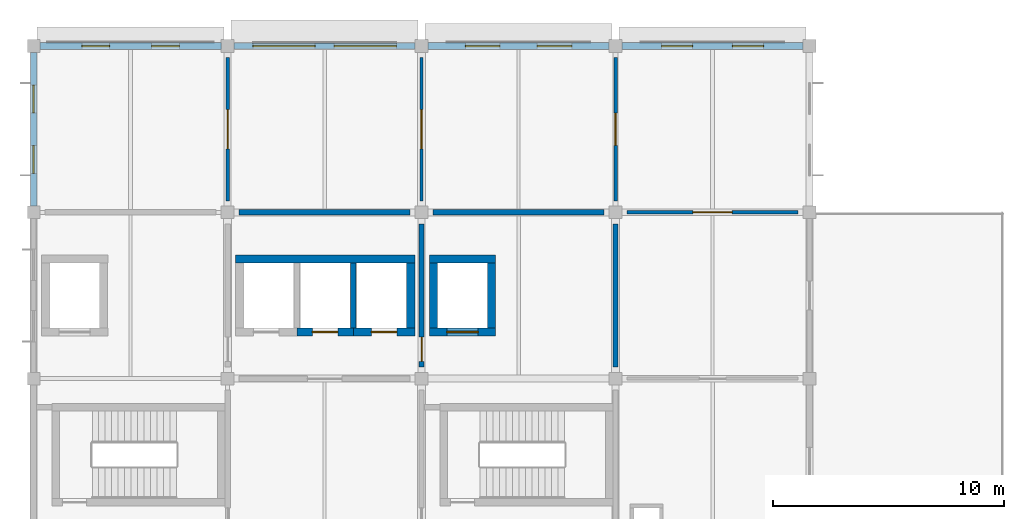
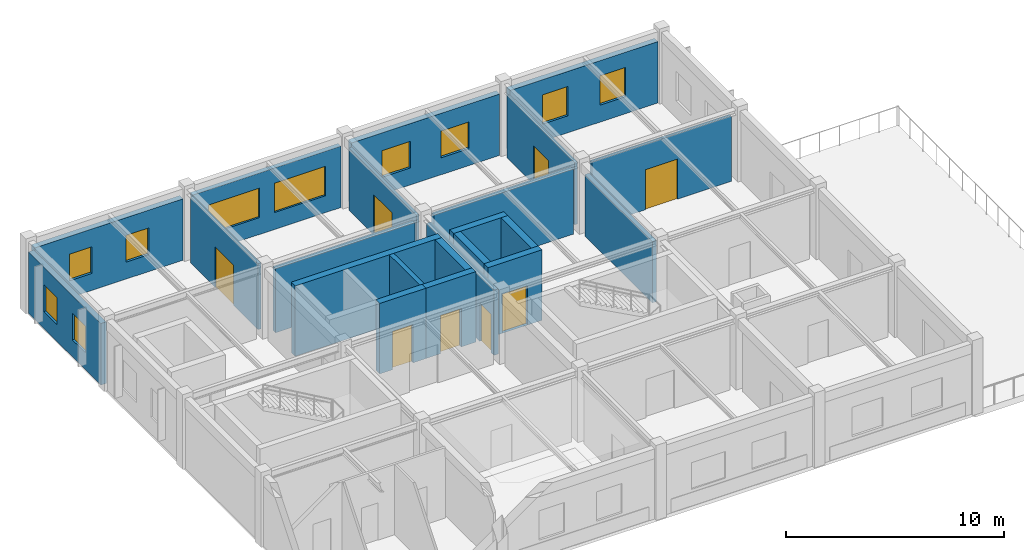
# One storey, part 4 of 6: 22 walls, 10 windows, 8 doors, 18 openings.
"""IFC4 building model written with IfcOpenShell, lengths in metres."""

from ifc_helpers import new_model, si_unit, derived_unit, direction, frame, frame_2d, origin, place, context, subcontext, project, spatial, rectangle, extrude, material, layer, layer_set, type_object, element, fill, save


model = new_model("IFC4")

# Units and contexts
model_context = context("Model", 3, precision=1e-05, world=origin(), true_north=direction((0.0, 1.0)))
body_context = subcontext(model_context, "Body", "Model", "MODEL_VIEW")
ifc_project = project(units=[si_unit("LENGTHUNIT", "METRE"), si_unit("AREAUNIT", "SQUARE_METRE"), si_unit("VOLUMEUNIT", "CUBIC_METRE"), si_unit("PLANEANGLEUNIT", "RADIAN"), si_unit("MASSUNIT", "GRAM", prefix="KILO"), derived_unit("THERMALTRANSMITTANCEUNIT", [(si_unit("MASSUNIT", "GRAM", prefix="KILO"), 1), (si_unit("TIMEUNIT", "SECOND"), -3), (si_unit("THERMODYNAMICTEMPERATUREUNIT", "KELVIN"), -1)])], contexts=[model_context])

# Site, building, storey
site_placement = place(None, origin())
site = spatial("IfcSite", under=ifc_project, at=site_placement, CompositionType="ELEMENT")
building_placement = place(site_placement, origin())
building = spatial("IfcBuilding", under=site, at=building_placement, Name="Veldstrom Oceanarium and Marine Research Institute", CompositionType="ELEMENT")
storey_placement = place(building_placement, frame((0.0, 0.0, 60.60009765625)))
storey = spatial("IfcBuildingStorey", under=building, at=storey_placement, Name="L13", CompositionType="ELEMENT", Elevation=60.60009765625)

# Wall, openings, windows
ifc_material_1 = material(Name="Masonry Cavity Wall", Category="masonry")
ifc_layer_1 = layer(ifc_material_1, 0.31005859375)
ifc_layer_set_1 = layer_set([ifc_layer_1], Name="ARC-WAL-EW1")
wall_type_1 = type_object("IfcWallType", Name="ARC-WAL-EW1", PredefinedType="SOLIDWALL", material=ifc_layer_set_1)
wall_1_placement = place(storey_placement, frame((75.875, 72.0, 0.0), z_axis=(0.0, 0.0, 1.0), x_axis=(1.0, 0.0, 0.0)))
wall_1 = element("IfcWall", 1, at=wall_1_placement, inside=storey, type_object=wall_type_1, Name="Exterior Facade Wall EW1 L13-255", PredefinedType="SOLIDWALL", context=body_context, shape_type="SweptSolid", body=[
    extrude(rectangle(XDim=7.85009765625, YDim=0.31005859375, at=frame_2d((3.925048828125, 0.0))), origin(), (0.0, 0.0, 1.0), 3.44482421875),
])
opening_1_placement = place(wall_1_placement, frame((1.816650390625, 0.0, 0.949951171875)))
opening_1 = element("IfcOpeningElement", 2, at=opening_1_placement, cuts=wall_1, Name="Opening W16", PredefinedType="OPENING", context=body_context, shape_type="SweptSolid", body=[
    extrude(rectangle(XDim=1.199951171875, YDim=1.5, at=frame_2d((0.60009765625, 0.75))), frame((0.0, 0.1650390625, 0.0), z_axis=(0.0, -1.0, 0.0), x_axis=(1.0, 0.0, 0.0)), (0.0, 0.0, 1.0), 0.330078125),
])
opening_2_placement = place(wall_1_placement, frame((4.833251953125, 0.0, 0.949951171875)))
opening_2 = element("IfcOpeningElement", 3, at=opening_2_placement, cuts=wall_1, Name="Opening W16", PredefinedType="OPENING", context=body_context, shape_type="SweptSolid", body=[
    extrude(rectangle(XDim=1.199951171875, YDim=1.5, at=frame_2d((0.60009765625, 0.75))), frame((0.0, 0.1650390625, 0.0), z_axis=(0.0, -1.0, 0.0), x_axis=(1.0, 0.0, 0.0)), (0.0, 0.0, 1.0), 0.330078125),
])
ifc_material_2 = material(Name="Double Glazed Low-E IGU", Category="glass")
window_type_1 = type_object("IfcWindowType", Name="ARC-WIN-W16", PartitioningType="SINGLE_PANEL", PredefinedType="WINDOW", material=ifc_material_2)
window_1_placement = place(opening_1_placement, origin())
window_1 = element("IfcWindow", 4, at=window_1_placement, inside=storey, type_object=window_type_1, Name="Facade Window W16 L13-0241", OverallHeight=1.5, OverallWidth=1.199951171875, PartitioningType="SINGLE_PANEL", PredefinedType="WINDOW", context=body_context, shape_type="SweptSolid", body=[
    extrude(rectangle(XDim=1.199951171875, YDim=1.5, at=frame_2d((0.60009765625, 0.75))), frame((0.0, 0.030029296875, 0.0), z_axis=(0.0, -1.0, 0.0), x_axis=(1.0, 0.0, 0.0)), (0.0, 0.0, 1.0), 0.06005859375),
])
fill(opening_1, window_1)
window_2_placement = place(opening_2_placement, origin())
window_2 = element("IfcWindow", 5, at=window_2_placement, inside=storey, type_object=window_type_1, Name="Facade Window W16 L13-0242", OverallHeight=1.5, OverallWidth=1.199951171875, PartitioningType="SINGLE_PANEL", PredefinedType="WINDOW", context=body_context, shape_type="SweptSolid", body=[
    extrude(rectangle(XDim=1.199951171875, YDim=1.5, at=frame_2d((0.60009765625, 0.75))), frame((0.0, 0.030029296875, 0.0), z_axis=(0.0, -1.0, 0.0), x_axis=(1.0, 0.0, 0.0)), (0.0, 0.0, 1.0), 0.06005859375),
])
fill(opening_2, window_2)

wall_2_placement = place(storey_placement, frame((92.675048828125, 72.0, 0.0), z_axis=(0.0, 0.0, 1.0), x_axis=(1.0, 0.0, 0.0)))
wall_2 = element("IfcWall", 6, at=wall_2_placement, inside=storey, type_object=wall_type_1, Name="Exterior Facade Wall EW1 L13-260", PredefinedType="SOLIDWALL", context=body_context, shape_type="SweptSolid", body=[
    extrude(rectangle(XDim=7.849853515625, YDim=0.31005859375, at=frame_2d((3.9248046875, 0.0))), origin(), (0.0, 0.0, 1.0), 3.44482421875),
])
opening_3_placement = place(wall_2_placement, frame((1.61669921875, 0.0, 0.949951171875)))
opening_3 = element("IfcOpeningElement", 7, at=opening_3_placement, cuts=wall_2, Name="Opening W15", PredefinedType="OPENING", context=body_context, shape_type="SweptSolid", body=[
    extrude(rectangle(XDim=1.5, YDim=1.5, at=frame_2d((0.75, 0.75))), frame((0.0, 0.1650390625, 0.0), z_axis=(0.0, -1.0, 0.0), x_axis=(1.0, 0.0, 0.0)), (0.0, 0.0, 1.0), 0.330078125),
])
opening_4_placement = place(wall_2_placement, frame((4.7333984375, 0.0, 0.949951171875)))
opening_4 = element("IfcOpeningElement", 8, at=opening_4_placement, cuts=wall_2, Name="Opening W15", PredefinedType="OPENING", context=body_context, shape_type="SweptSolid", body=[
    extrude(rectangle(XDim=1.5, YDim=1.5, at=frame_2d((0.75, 0.75))), frame((0.0, 0.1650390625, 0.0), z_axis=(0.0, -1.0, 0.0), x_axis=(1.0, 0.0, 0.0)), (0.0, 0.0, 1.0), 0.330078125),
])
ifc_material_3 = material(Name="Double Glazed Low-E IGU", Category="glass")
window_type_2 = type_object("IfcWindowType", Name="ARC-WIN-W15", PartitioningType="SINGLE_PANEL", PredefinedType="WINDOW", material=ifc_material_3)
window_3_placement = place(opening_3_placement, origin())
window_3 = element("IfcWindow", 9, at=window_3_placement, inside=storey, type_object=window_type_2, Name="Facade Window W15 L13-0251", OverallHeight=1.5, OverallWidth=1.5, PartitioningType="SINGLE_PANEL", PredefinedType="WINDOW", context=body_context, shape_type="SweptSolid", body=[
    extrude(rectangle(XDim=1.5, YDim=1.5, at=frame_2d((0.75, 0.75))), frame((0.0, 0.030029296875, 0.0), z_axis=(0.0, -1.0, 0.0), x_axis=(1.0, 0.0, 0.0)), (0.0, 0.0, 1.0), 0.06005859375),
])
fill(opening_3, window_3)
window_4_placement = place(opening_4_placement, origin())
window_4 = element("IfcWindow", 10, at=window_4_placement, inside=storey, type_object=window_type_2, Name="Facade Window W15 L13-0252", OverallHeight=1.5, OverallWidth=1.5, PartitioningType="SINGLE_PANEL", PredefinedType="WINDOW", context=body_context, shape_type="SweptSolid", body=[
    extrude(rectangle(XDim=1.5, YDim=1.5, at=frame_2d((0.75, 0.75))), frame((0.0, 0.030029296875, 0.0), z_axis=(0.0, -1.0, 0.0), x_axis=(1.0, 0.0, 0.0)), (0.0, 0.0, 1.0), 0.06005859375),
])
fill(opening_4, window_4)

wall_3_placement = place(storey_placement, frame((101.074951171875, 72.0, 0.0), z_axis=(0.0, 0.0, 1.0), x_axis=(1.0, 0.0, 0.0)))
wall_3 = element("IfcWall", 11, at=wall_3_placement, inside=storey, type_object=wall_type_1, Name="Exterior Facade Wall EW1 L13-265", PredefinedType="SOLIDWALL", context=body_context, shape_type="SweptSolid", body=[
    extrude(rectangle(XDim=7.85009765625, YDim=0.31005859375, at=frame_2d((3.925048828125, 0.0))), origin(), (0.0, 0.0, 1.0), 3.44482421875),
])
opening_5_placement = place(wall_3_placement, frame((1.716796875, 0.0, 0.949951171875)))
opening_5 = element("IfcOpeningElement", 12, at=opening_5_placement, cuts=wall_3, Name="Opening W24", PredefinedType="OPENING", context=body_context, shape_type="SweptSolid", body=[
    extrude(rectangle(XDim=1.35009765625, YDim=1.64990234375, at=frame_2d((0.675048828125, 0.824951171875))), frame((0.0, 0.1650390625, 0.0), z_axis=(0.0, -1.0, 0.0), x_axis=(1.0, 0.0, 0.0)), (0.0, 0.0, 1.0), 0.330078125),
])
opening_6_placement = place(wall_3_placement, frame((4.783203125, 0.0, 0.949951171875)))
opening_6 = element("IfcOpeningElement", 13, at=opening_6_placement, cuts=wall_3, Name="Opening W24", PredefinedType="OPENING", context=body_context, shape_type="SweptSolid", body=[
    extrude(rectangle(XDim=1.35009765625, YDim=1.64990234375, at=frame_2d((0.675048828125, 0.824951171875))), frame((0.0, 0.1650390625, 0.0), z_axis=(0.0, -1.0, 0.0), x_axis=(1.0, 0.0, 0.0)), (0.0, 0.0, 1.0), 0.330078125),
])
ifc_material_4 = material(Name="Double Glazed Low-E IGU", Category="glass")
window_type_3 = type_object("IfcWindowType", Name="ARC-WIN-W24", PartitioningType="SINGLE_PANEL", PredefinedType="WINDOW", material=ifc_material_4)
window_5_placement = place(opening_5_placement, origin())
window_5 = element("IfcWindow", 14, at=window_5_placement, inside=storey, type_object=window_type_3, Name="Facade Window W24 L13-0255", OverallHeight=1.64990234375, OverallWidth=1.35009765625, PartitioningType="SINGLE_PANEL", PredefinedType="WINDOW", context=body_context, shape_type="SweptSolid", body=[
    extrude(rectangle(XDim=1.35009765625, YDim=1.64990234375, at=frame_2d((0.675048828125, 0.824951171875))), frame((0.0, 0.030029296875, 0.0), z_axis=(0.0, -1.0, 0.0), x_axis=(1.0, 0.0, 0.0)), (0.0, 0.0, 1.0), 0.06005859375),
])
fill(opening_5, window_5)
window_6_placement = place(opening_6_placement, origin())
window_6 = element("IfcWindow", 15, at=window_6_placement, inside=storey, type_object=window_type_3, Name="Facade Window W24 L13-0256", OverallHeight=1.64990234375, OverallWidth=1.35009765625, PartitioningType="SINGLE_PANEL", PredefinedType="WINDOW", context=body_context, shape_type="SweptSolid", body=[
    extrude(rectangle(XDim=1.35009765625, YDim=1.64990234375, at=frame_2d((0.675048828125, 0.824951171875))), frame((0.0, 0.030029296875, 0.0), z_axis=(0.0, -1.0, 0.0), x_axis=(1.0, 0.0, 0.0)), (0.0, 0.0, 1.0), 0.06005859375),
])
fill(opening_6, window_6)

ifc_material_5 = material(Name="Masonry Cavity Wall", Category="masonry")
ifc_layer_2 = layer(ifc_material_5, 0.2900390625)
ifc_layer_set_2 = layer_set([ifc_layer_2], Name="ARC-WAL-EW2")
wall_type_2 = type_object("IfcWallType", Name="ARC-WAL-EW2", PredefinedType="SOLIDWALL", material=ifc_layer_set_2)
wall_4_placement = place(storey_placement, frame((75.60009765625, 65.074951171875, 0.0), z_axis=(0.0, 0.0, 1.0), x_axis=(0.0, 1.0, 0.0)))
wall_4 = element("IfcWall", 16, at=wall_4_placement, inside=storey, type_object=wall_type_2, Name="Exterior Facade Wall EW2 L13-256", PredefinedType="SOLIDWALL", context=body_context, shape_type="SweptSolid", body=[
    extrude(rectangle(XDim=6.650146484375, YDim=0.2900390625, at=frame_2d((3.3251953125, 0.0))), origin(), (0.0, 0.0, 1.0), 3.44482421875),
])
opening_7_placement = place(wall_4_placement, frame((1.416748046875, 0.0, 0.949951171875)))
opening_7 = element("IfcOpeningElement", 17, at=opening_7_placement, cuts=wall_4, Name="Opening W16", PredefinedType="OPENING", context=body_context, shape_type="SweptSolid", body=[
    extrude(rectangle(XDim=1.199951171875, YDim=1.5, at=frame_2d((0.60009765625, 0.75))), frame((0.0, 0.155029296875, 0.0), z_axis=(0.0, -1.0, 0.0), x_axis=(1.0, 0.0, 0.0)), (0.0, 0.0, 1.0), 0.31005859375),
])
opening_8_placement = place(wall_4_placement, frame((4.033203125, 0.0, 0.949951171875)))
opening_8 = element("IfcOpeningElement", 18, at=opening_8_placement, cuts=wall_4, Name="Opening W16", PredefinedType="OPENING", context=body_context, shape_type="SweptSolid", body=[
    extrude(rectangle(XDim=1.199951171875, YDim=1.5, at=frame_2d((0.60009765625, 0.75))), frame((0.0, 0.155029296875, 0.0), z_axis=(0.0, -1.0, 0.0), x_axis=(1.0, 0.0, 0.0)), (0.0, 0.0, 1.0), 0.31005859375),
])
window_7_placement = place(opening_7_placement, origin())
window_7 = element("IfcWindow", 19, at=window_7_placement, inside=storey, type_object=window_type_1, Name="Facade Window W16 L13-0243", OverallHeight=1.5, OverallWidth=1.199951171875, PartitioningType="SINGLE_PANEL", PredefinedType="WINDOW", context=body_context, shape_type="SweptSolid", body=[
    extrude(rectangle(XDim=1.199951171875, YDim=1.5, at=frame_2d((0.60009765625, 0.75))), frame((0.0, 0.030029296875, 0.0), z_axis=(0.0, -1.0, 0.0), x_axis=(1.0, 0.0, 0.0)), (0.0, 0.0, 1.0), 0.06005859375),
])
fill(opening_7, window_7)
window_8_placement = place(opening_8_placement, origin())
window_8 = element("IfcWindow", 20, at=window_8_placement, inside=storey, type_object=window_type_1, Name="Facade Window W16 L13-0244", OverallHeight=1.5, OverallWidth=1.199951171875, PartitioningType="SINGLE_PANEL", PredefinedType="WINDOW", context=body_context, shape_type="SweptSolid", body=[
    extrude(rectangle(XDim=1.199951171875, YDim=1.5, at=frame_2d((0.60009765625, 0.75))), frame((0.0, 0.030029296875, 0.0), z_axis=(0.0, -1.0, 0.0), x_axis=(1.0, 0.0, 0.0)), (0.0, 0.0, 1.0), 0.06005859375),
])
fill(opening_8, window_8)

ifc_material_6 = material(Name="Masonry Cavity Wall", Category="masonry")
ifc_layer_3 = layer(ifc_material_6, 0.25)
ifc_layer_set_3 = layer_set([ifc_layer_3], Name="ARC-WAL-EW5")
wall_type_3 = type_object("IfcWallType", Name="ARC-WAL-EW5", PredefinedType="SOLIDWALL", material=ifc_layer_set_3)
wall_5_placement = place(storey_placement, frame((84.27490234375, 72.0, 0.0), z_axis=(0.0, 0.0, 1.0), x_axis=(1.0, 0.0, 0.0)))
wall_5 = element("IfcWall", 21, at=wall_5_placement, inside=storey, type_object=wall_type_3, Name="Exterior Facade Wall EW5 L13-258", PredefinedType="SOLIDWALL", context=body_context, shape_type="SweptSolid", body=[
    extrude(rectangle(XDim=7.85009765625, YDim=0.25, at=frame_2d((3.925048828125, 0.0))), origin(), (0.0, 0.0, 1.0), 3.44482421875),
])
opening_9_placement = place(wall_5_placement, frame((0.816650390625, 0.0, 0.949951171875)))
opening_9 = element("IfcOpeningElement", 22, at=opening_9_placement, cuts=wall_5, Name="Opening W25", PredefinedType="OPENING", context=body_context, shape_type="SweptSolid", body=[
    extrude(rectangle(XDim=2.699951171875, YDim=1.64990234375, at=frame_2d((1.35009765625, 0.824951171875))), frame((0.0, 0.135009765625, 0.0), z_axis=(0.0, -1.0, 0.0), x_axis=(1.0, 0.0, 0.0)), (0.0, 0.0, 1.0), 0.27001953125),
])
opening_10_placement = place(wall_5_placement, frame((4.333251953125, 0.0, 0.949951171875)))
opening_10 = element("IfcOpeningElement", 23, at=opening_10_placement, cuts=wall_5, Name="Opening W25", PredefinedType="OPENING", context=body_context, shape_type="SweptSolid", body=[
    extrude(rectangle(XDim=2.699951171875, YDim=1.64990234375, at=frame_2d((1.35009765625, 0.824951171875))), frame((0.0, 0.135009765625, 0.0), z_axis=(0.0, -1.0, 0.0), x_axis=(1.0, 0.0, 0.0)), (0.0, 0.0, 1.0), 0.27001953125),
])
ifc_material_7 = material(Name="Double Glazed Low-E IGU", Category="glass")
window_type_4 = type_object("IfcWindowType", Name="ARC-WIN-W25", PartitioningType="SINGLE_PANEL", PredefinedType="WINDOW", material=ifc_material_7)
window_9_placement = place(opening_9_placement, origin())
window_9 = element("IfcWindow", 24, at=window_9_placement, inside=storey, type_object=window_type_4, Name="Facade Window W25 L13-0247", OverallHeight=1.64990234375, OverallWidth=2.699951171875, PartitioningType="SINGLE_PANEL", PredefinedType="WINDOW", context=body_context, shape_type="SweptSolid", body=[
    extrude(rectangle(XDim=2.699951171875, YDim=1.64990234375, at=frame_2d((1.35009765625, 0.824951171875))), frame((0.0, 0.030029296875, 0.0), z_axis=(0.0, -1.0, 0.0), x_axis=(1.0, 0.0, 0.0)), (0.0, 0.0, 1.0), 0.06005859375),
])
fill(opening_9, window_9)
window_10_placement = place(opening_10_placement, origin())
window_10 = element("IfcWindow", 25, at=window_10_placement, inside=storey, type_object=window_type_4, Name="Facade Window W25 L13-0248", OverallHeight=1.64990234375, OverallWidth=2.699951171875, PartitioningType="SINGLE_PANEL", PredefinedType="WINDOW", context=body_context, shape_type="SweptSolid", body=[
    extrude(rectangle(XDim=2.699951171875, YDim=1.64990234375, at=frame_2d((1.35009765625, 0.824951171875))), frame((0.0, 0.030029296875, 0.0), z_axis=(0.0, -1.0, 0.0), x_axis=(1.0, 0.0, 0.0)), (0.0, 0.0, 1.0), 0.06005859375),
])
fill(opening_10, window_10)

# Wall, opening, door
ifc_material_8 = material(Name="Masonry Fire Compartment Wall", Category="masonry")
ifc_layer_4 = layer(ifc_material_8, 0.22998046875)
ifc_layer_set_4 = layer_set([ifc_layer_4], Name="ARC-WAL-PT1")
wall_type_4 = type_object("IfcWallType", Name="ARC-WAL-PT1", PredefinedType="PARTITIONING", material=ifc_layer_set_4)
wall_6_placement = place(storey_placement, frame((92.39990234375, 58.10009765625, 0.0), z_axis=(0.0, 0.0, 1.0), x_axis=(0.0, 1.0, 0.0)))
wall_6 = element("IfcWall", 26, at=wall_6_placement, inside=storey, type_object=wall_type_4, Name="Interior Partition PT1 L13-1752", PredefinedType="PARTITIONING", context=body_context, shape_type="SweptSolid", body=[
    extrude(rectangle(XDim=6.199951171875, YDim=0.22998046875, at=frame_2d((3.10009765625, 0.0))), origin(), (0.0, 0.0, 1.0), 3.65478515625),
])
opening_11_placement = place(wall_6_placement, frame((0.25, 0.0, 0.0)))
opening_11 = element("IfcOpeningElement", 27, at=opening_11_placement, cuts=wall_6, Name="Opening D-L13-1083", PredefinedType="OPENING", context=body_context, shape_type="SweptSolid", body=[
    extrude(rectangle(XDim=1.050048828125, YDim=2.14990234375, at=frame_2d((0.52490234375, 1.074951171875))), frame((0.0, 0.125, 0.0), z_axis=(0.0, -1.0, 0.0), x_axis=(1.0, 0.0, 0.0)), (0.0, 0.0, 1.0), 0.25),
])
ifc_material_9 = material(Name="Painted Steel Fire Door", Category="steel")
door_type_1 = type_object("IfcDoorType", Name="ARC-DOR-SD1", OperationType="SINGLE_SWING_LEFT", PredefinedType="DOOR", material=ifc_material_9)
door_1_placement = place(opening_11_placement, origin())
door_1 = element("IfcDoor", 28, at=door_1_placement, inside=storey, type_object=door_type_1, Name="Interior Door D-L13-1083", OperationType="SINGLE_SWING_LEFT", OverallHeight=2.14990234375, OverallWidth=1.050048828125, PredefinedType="DOOR", context=body_context, shape_type="SweptSolid", body=[
    extrude(rectangle(XDim=1.050048828125, YDim=2.14990234375, at=frame_2d((0.52490234375, 1.074951171875))), frame((0.0, 0.02490234375, 0.0), z_axis=(0.0, -1.0, 0.0), x_axis=(1.0, 0.0, 0.0)), (0.0, 0.0, 1.0), 0.050048828125),
])
fill(opening_11, door_1)

# Walls
wall_7_placement = place(storey_placement, frame((84.5, 64.800048828125, 0.0), z_axis=(0.0, 0.0, 1.0), x_axis=(1.0, 0.0, 0.0)))
element("IfcWall", 29, at=wall_7_placement, inside=storey, type_object=wall_type_4, Name="Interior Partition PT1 L13-1753", PredefinedType="PARTITIONING", context=body_context, shape_type="SweptSolid", body=[
    extrude(rectangle(XDim=7.39990234375, YDim=0.22998046875, at=frame_2d((3.699951171875, 0.0))), origin(), (0.0, 0.0, 1.0), 3.594970703125),
])
wall_8_placement = place(storey_placement, frame((100.800048828125, 58.10009765625, 0.0), z_axis=(0.0, 0.0, 1.0), x_axis=(0.0, 1.0, 0.0)))
element("IfcWall", 30, at=wall_8_placement, inside=storey, type_object=wall_type_4, Name="Interior Partition PT1 L13-1759", PredefinedType="PARTITIONING", context=body_context, shape_type="SweptSolid", body=[
    extrude(rectangle(XDim=6.199951171875, YDim=0.22998046875, at=frame_2d((3.10009765625, 0.0))), origin(), (0.0, 0.0, 1.0), 3.44482421875),
])
wall_9_placement = place(storey_placement, frame((92.89990234375, 64.800048828125, 0.0), z_axis=(0.0, 0.0, 1.0), x_axis=(1.0, 0.0, 0.0)))
element("IfcWall", 31, at=wall_9_placement, inside=storey, type_object=wall_type_4, Name="Interior Partition PT1 L13-1760", PredefinedType="PARTITIONING", context=body_context, shape_type="SweptSolid", body=[
    extrude(rectangle(XDim=7.400146484375, YDim=0.22998046875, at=frame_2d((3.7001953125, 0.0))), origin(), (0.0, 0.0, 1.0), 3.65478515625),
])

# Wall, opening, door
ifc_material_10 = material(Name="Drywall Corridor Partition", Category="gypsum")
ifc_layer_5 = layer(ifc_material_10, 0.155029296875)
ifc_layer_set_5 = layer_set([ifc_layer_5], Name="ARC-WAL-PT4")
wall_type_5 = type_object("IfcWallType", Name="ARC-WAL-PT4", PredefinedType="PARTITIONING", material=ifc_layer_set_5)
wall_10_placement = place(storey_placement, frame((84.0, 65.300048828125, 0.0), z_axis=(0.0, 0.0, 1.0), x_axis=(0.0, 1.0, 0.0)))
wall_10 = element("IfcWall", 32, at=wall_10_placement, inside=storey, type_object=wall_type_5, Name="Interior Partition PT4 L13-1747", PredefinedType="PARTITIONING", context=body_context, shape_type="SweptSolid", body=[
    extrude(rectangle(XDim=6.199951171875, YDim=0.155029296875, at=frame_2d((3.10009765625, 0.0))), origin(), (0.0, 0.0, 1.0), 3.704833984375),
])
opening_12_placement = place(wall_10_placement, frame((2.25, 0.0, 0.0)))
opening_12 = element("IfcOpeningElement", 33, at=opening_12_placement, cuts=wall_10, Name="Opening D-L13-1078", PredefinedType="OPENING", context=body_context, shape_type="SweptSolid", body=[
    extrude(rectangle(XDim=1.699951171875, YDim=2.25, at=frame_2d((0.85009765625, 1.125))), frame((0.0, 0.08740234375, 0.0), z_axis=(0.0, -1.0, 0.0), x_axis=(1.0, 0.0, 0.0)), (0.0, 0.0, 1.0), 0.175048828125),
])
ifc_material_11 = material(Name="Symposium Auditorium Door", Category="timber")
door_type_2 = type_object("IfcDoorType", Name="ARC-DOR-ID13", OperationType="DOUBLE_DOOR_SINGLE_SWING", PredefinedType="DOOR", material=ifc_material_11)
door_2_placement = place(opening_12_placement, origin())
door_2 = element("IfcDoor", 34, at=door_2_placement, inside=storey, type_object=door_type_2, Name="Interior Door D-L13-1078", OperationType="DOUBLE_DOOR_SINGLE_SWING", OverallHeight=2.25, OverallWidth=1.699951171875, PredefinedType="DOOR", context=body_context, shape_type="SweptSolid", body=[
    extrude(rectangle(XDim=1.699951171875, YDim=2.25, at=frame_2d((0.85009765625, 1.125))), frame((0.0, 0.02490234375, 0.0), z_axis=(0.0, -1.0, 0.0), x_axis=(1.0, 0.0, 0.0)), (0.0, 0.0, 1.0), 0.050048828125),
])
fill(opening_12, door_2)

wall_11_placement = place(storey_placement, frame((100.800048828125, 65.300048828125, 0.0), z_axis=(0.0, 0.0, 1.0), x_axis=(0.0, 1.0, 0.0)))
wall_11 = element("IfcWall", 35, at=wall_11_placement, inside=storey, type_object=wall_type_5, Name="Interior Partition PT4 L13-1761", PredefinedType="PARTITIONING", context=body_context, shape_type="SweptSolid", body=[
    extrude(rectangle(XDim=6.199951171875, YDim=0.155029296875, at=frame_2d((3.10009765625, 0.0))), origin(), (0.0, 0.0, 1.0), 3.494873046875),
])
opening_13_placement = place(wall_11_placement, frame((2.39990234375, 0.0, 0.0)))
opening_13 = element("IfcOpeningElement", 36, at=opening_13_placement, cuts=wall_11, Name="Opening D-L13-1087", PredefinedType="OPENING", context=body_context, shape_type="SweptSolid", body=[
    extrude(rectangle(XDim=1.39990234375, YDim=2.14990234375, at=frame_2d((0.699951171875, 1.074951171875))), frame((0.0, 0.08740234375, 0.0), z_axis=(0.0, -1.0, 0.0), x_axis=(1.0, 0.0, 0.0)), (0.0, 0.0, 1.0), 0.175048828125),
])
ifc_material_12 = material(Name="Education Classroom Door", Category="timber")
door_type_3 = type_object("IfcDoorType", Name="ARC-DOR-ID04", OperationType="DOUBLE_DOOR_SINGLE_SWING", PredefinedType="DOOR", material=ifc_material_12)
door_3_placement = place(opening_13_placement, origin())
door_3 = element("IfcDoor", 37, at=door_3_placement, inside=storey, type_object=door_type_3, Name="Interior Door D-L13-1087", OperationType="DOUBLE_DOOR_SINGLE_SWING", OverallHeight=2.14990234375, OverallWidth=1.39990234375, PredefinedType="DOOR", context=body_context, shape_type="SweptSolid", body=[
    extrude(rectangle(XDim=1.39990234375, YDim=2.14990234375, at=frame_2d((0.699951171875, 1.074951171875))), frame((0.0, 0.02490234375, 0.0), z_axis=(0.0, -1.0, 0.0), x_axis=(1.0, 0.0, 0.0)), (0.0, 0.0, 1.0), 0.050048828125),
])
fill(opening_13, door_3)

wall_12_placement = place(storey_placement, frame((101.300048828125, 64.800048828125, 0.0), z_axis=(0.0, 0.0, 1.0), x_axis=(1.0, 0.0, 0.0)))
wall_12 = element("IfcWall", 38, at=wall_12_placement, inside=storey, type_object=wall_type_5, Name="Interior Partition PT4 L13-1764", PredefinedType="PARTITIONING", context=body_context, shape_type="SweptSolid", body=[
    extrude(rectangle(XDim=7.39990234375, YDim=0.155029296875, at=frame_2d((3.699951171875, 0.0))), origin(), (0.0, 0.0, 1.0), 3.6748046875),
])
opening_14_placement = place(wall_12_placement, frame((2.85009765625, 0.0, 0.0)))
opening_14 = element("IfcOpeningElement", 39, at=opening_14_placement, cuts=wall_12, Name="Opening D-L13-1090", PredefinedType="OPENING", context=body_context, shape_type="SweptSolid", body=[
    extrude(rectangle(XDim=1.699951171875, YDim=2.25, at=frame_2d((0.85009765625, 1.125))), frame((0.0, 0.08740234375, 0.0), z_axis=(0.0, -1.0, 0.0), x_axis=(1.0, 0.0, 0.0)), (0.0, 0.0, 1.0), 0.175048828125),
])
door_4_placement = place(opening_14_placement, frame((1.699951171875, 0.0, 0.0), z_axis=(0.0, 0.0, 1.0), x_axis=(-1.0, 0.0, 0.0)))
door_4 = element("IfcDoor", 40, at=door_4_placement, inside=storey, type_object=door_type_2, Name="Interior Door D-L13-1090", OperationType="DOUBLE_DOOR_SINGLE_SWING", OverallHeight=2.25, OverallWidth=1.699951171875, PredefinedType="DOOR", context=body_context, shape_type="SweptSolid", body=[
    extrude(rectangle(XDim=1.699951171875, YDim=2.25, at=frame_2d((0.85009765625, 1.125))), frame((0.0, 0.02490234375, 0.0), z_axis=(0.0, -1.0, 0.0), x_axis=(1.0, 0.0, 0.0)), (0.0, 0.0, 1.0), 0.050048828125),
])
fill(opening_14, door_4)

ifc_material_13 = material(Name="Moisture-Resistant Wet-Area Partition", Category="masonry")
ifc_layer_6 = layer(ifc_material_13, 0.139892578125)
ifc_layer_set_6 = layer_set([ifc_layer_6], Name="ARC-WAL-PT5")
wall_type_6 = type_object("IfcWallType", Name="ARC-WAL-PT5", PredefinedType="PARTITIONING", material=ifc_layer_set_6)
wall_13_placement = place(storey_placement, frame((92.39990234375, 65.300048828125, 0.0), z_axis=(0.0, 0.0, 1.0), x_axis=(0.0, 1.0, 0.0)))
wall_13 = element("IfcWall", 41, at=wall_13_placement, inside=storey, type_object=wall_type_6, Name="Interior Partition PT5 L13-1754", PredefinedType="PARTITIONING", context=body_context, shape_type="SweptSolid", body=[
    extrude(rectangle(XDim=6.199951171875, YDim=0.139892578125, at=frame_2d((3.10009765625, 0.0))), origin(), (0.0, 0.0, 1.0), 3.494873046875),
])
opening_15_placement = place(wall_13_placement, frame((2.25, 0.0, 0.0)))
opening_15 = element("IfcOpeningElement", 42, at=opening_15_placement, cuts=wall_13, Name="Opening D-L13-1084", PredefinedType="OPENING", context=body_context, shape_type="SweptSolid", body=[
    extrude(rectangle(XDim=1.699951171875, YDim=2.25, at=frame_2d((0.85009765625, 1.125))), frame((0.0, 0.079833984375, 0.0), z_axis=(0.0, -1.0, 0.0), x_axis=(1.0, 0.0, 0.0)), (0.0, 0.0, 1.0), 0.159912109375),
])
door_5_placement = place(opening_15_placement, frame((1.699951171875, 0.0, 0.0), z_axis=(0.0, 0.0, 1.0), x_axis=(-1.0, 0.0, 0.0)))
door_5 = element("IfcDoor", 43, at=door_5_placement, inside=storey, type_object=door_type_2, Name="Interior Door D-L13-1084", OperationType="DOUBLE_DOOR_SINGLE_SWING", OverallHeight=2.25, OverallWidth=1.699951171875, PredefinedType="DOOR", context=body_context, shape_type="SweptSolid", body=[
    extrude(rectangle(XDim=1.699951171875, YDim=2.25, at=frame_2d((0.85009765625, 1.125))), frame((0.0, 0.02490234375, 0.0), z_axis=(0.0, -1.0, 0.0), x_axis=(1.0, 0.0, 0.0)), (0.0, 0.0, 1.0), 0.050048828125),
])
fill(opening_15, door_5)

# Wall
ifc_material_14 = material(Name="Concrete C40/50", Category="concrete")
ifc_layer_7 = layer(ifc_material_14, 0.360107421875)
ifc_layer_set_7 = layer_set([ifc_layer_7], Name="STR-WAL-WC2")
wall_type_7 = type_object("IfcWallType", Name="STR-WAL-WC2", PredefinedType="SHEAR", material=ifc_layer_set_7)
wall_14_placement = place(storey_placement, frame((84.340087890625, 62.780029296875, 0.0), z_axis=(0.0, 0.0, 1.0), x_axis=(1.0, 0.0, 0.0)))
element("IfcWall", 44, at=wall_14_placement, inside=storey, type_object=wall_type_7, Name="Lift Shaft Shear Wall N L13 10/8", PredefinedType="SHEAR", context=body_context, shape_type="SweptSolid", body=[
    extrude(rectangle(XDim=7.77001953125, YDim=0.360107421875, at=frame_2d((3.885009765625, 0.0))), origin(), (0.0, 0.0, 1.0), 3.949951171875),
])

# Wall, opening, door
wall_15_placement = place(storey_placement, frame((87.0, 59.6201171875, 0.0), z_axis=(0.0, 0.0, 1.0), x_axis=(1.0, 0.0, 0.0)))
wall_15 = element("IfcWall", 45, at=wall_15_placement, inside=storey, type_object=wall_type_7, Name="Lift Shaft Front Shear Wall LP2 L13", PredefinedType="SHEAR", context=body_context, shape_type="SweptSolid", body=[
    extrude(rectangle(XDim=2.449951171875, YDim=0.360107421875, at=frame_2d((1.22509765625, 0.0))), origin(), (0.0, 0.0, 1.0), 3.949951171875),
])
opening_16_placement = place(wall_15_placement, frame((0.675048828125, 0.0, 0.0)))
opening_16 = element("IfcOpeningElement", 46, at=opening_16_placement, cuts=wall_15, Name="Opening LD-LP2-L13", PredefinedType="OPENING", context=body_context, shape_type="SweptSolid", body=[
    extrude(rectangle(XDim=1.10009765625, YDim=2.14990234375, at=frame_2d((0.550048828125, 1.074951171875))), frame((0.0, 0.18994140625, 0.0), z_axis=(0.0, -1.0, 0.0), x_axis=(1.0, 0.0, 0.0)), (0.0, 0.0, 1.0), 0.380126953125),
])
ifc_material_15 = material(Name="Stainless Steel Lift Landing Door", Category="steel")
door_type_4 = type_object("IfcDoorType", Name="ARC-DOR-LD1", OperationType="DOUBLE_DOOR_SLIDING", PredefinedType="DOOR", material=ifc_material_15)
door_6_placement = place(opening_16_placement, origin())
door_6 = element("IfcDoor", 47, at=door_6_placement, inside=storey, type_object=door_type_4, Name="Lift Landing Door LD-LP2-L13", OperationType="DOUBLE_DOOR_SLIDING", OverallHeight=2.14990234375, OverallWidth=1.10009765625, PredefinedType="DOOR", context=body_context, shape_type="SweptSolid", body=[
    extrude(rectangle(XDim=1.10009765625, YDim=2.14990234375, at=frame_2d((0.550048828125, 1.074951171875))), frame((0.0, 0.02490234375, 0.0), z_axis=(0.0, -1.0, 0.0), x_axis=(1.0, 0.0, 0.0)), (0.0, 0.0, 1.0), 0.050048828125),
])
fill(opening_16, door_6)

wall_16_placement = place(storey_placement, frame((89.449951171875, 59.6201171875, 0.0), z_axis=(0.0, 0.0, 1.0), x_axis=(1.0, 0.0, 0.0)))
wall_16 = element("IfcWall", 48, at=wall_16_placement, inside=storey, type_object=wall_type_7, Name="Lift Shaft Front Shear Wall LP3 L13", PredefinedType="SHEAR", context=body_context, shape_type="SweptSolid", body=[
    extrude(rectangle(XDim=2.66015625, YDim=0.360107421875, at=frame_2d((1.330078125, 0.0))), origin(), (0.0, 0.0, 1.0), 3.949951171875),
])
opening_17_placement = place(wall_16_placement, frame((0.780029296875, 0.0, 0.0)))
opening_17 = element("IfcOpeningElement", 49, at=opening_17_placement, cuts=wall_16, Name="Opening LD-LP3-L13", PredefinedType="OPENING", context=body_context, shape_type="SweptSolid", body=[
    extrude(rectangle(XDim=1.10009765625, YDim=2.14990234375, at=frame_2d((0.550048828125, 1.074951171875))), frame((0.0, 0.18994140625, 0.0), z_axis=(0.0, -1.0, 0.0), x_axis=(1.0, 0.0, 0.0)), (0.0, 0.0, 1.0), 0.380126953125),
])
door_7_placement = place(opening_17_placement, origin())
door_7 = element("IfcDoor", 50, at=door_7_placement, inside=storey, type_object=door_type_4, Name="Lift Landing Door LD-LP3-L13", OperationType="DOUBLE_DOOR_SLIDING", OverallHeight=2.14990234375, OverallWidth=1.10009765625, PredefinedType="DOOR", context=body_context, shape_type="SweptSolid", body=[
    extrude(rectangle(XDim=1.10009765625, YDim=2.14990234375, at=frame_2d((0.550048828125, 1.074951171875))), frame((0.0, 0.02490234375, 0.0), z_axis=(0.0, -1.0, 0.0), x_axis=(1.0, 0.0, 0.0)), (0.0, 0.0, 1.0), 0.050048828125),
])
fill(opening_17, door_7)

# Walls
wall_17_placement = place(storey_placement, frame((91.929931640625, 59.800048828125, 0.0), z_axis=(0.0, 0.0, 1.0), x_axis=(0.0, 1.0, 0.0)))
element("IfcWall", 51, at=wall_17_placement, inside=storey, type_object=wall_type_7, Name="Lift Shaft Shear Wall E L13 10/8", PredefinedType="SHEAR", context=body_context, shape_type="SweptSolid", body=[
    extrude(rectangle(XDim=2.800048828125, YDim=0.360107421875, at=frame_2d((1.39990234375, 0.0))), origin(), (0.0, 0.0, 1.0), 3.949951171875),
])
wall_18_placement = place(storey_placement, frame((92.739990234375, 62.780029296875, 0.0), z_axis=(0.0, 0.0, 1.0), x_axis=(1.0, 0.0, 0.0)))
element("IfcWall", 52, at=wall_18_placement, inside=storey, type_object=wall_type_7, Name="Lift Shaft Shear Wall N L13 11/8", PredefinedType="SHEAR", context=body_context, shape_type="SweptSolid", body=[
    extrude(rectangle(XDim=2.8701171875, YDim=0.360107421875, at=frame_2d((1.43505859375, 0.0))), origin(), (0.0, 0.0, 1.0), 3.949951171875),
])

# Wall, opening, door
wall_19_placement = place(storey_placement, frame((92.739990234375, 59.6201171875, 0.0), z_axis=(0.0, 0.0, 1.0), x_axis=(1.0, 0.0, 0.0)))
wall_19 = element("IfcWall", 53, at=wall_19_placement, inside=storey, type_object=wall_type_7, Name="Lift Shaft Front Shear Wall LF2 L13", PredefinedType="SHEAR", context=body_context, shape_type="SweptSolid", body=[
    extrude(rectangle(XDim=2.8701171875, YDim=0.360107421875, at=frame_2d((1.43505859375, 0.0))), origin(), (0.0, 0.0, 1.0), 3.949951171875),
])
opening_18_placement = place(wall_19_placement, frame((0.760009765625, 0.0, 0.0)))
opening_18 = element("IfcOpeningElement", 54, at=opening_18_placement, cuts=wall_19, Name="Opening LD-LF2-L13", PredefinedType="OPENING", context=body_context, shape_type="SweptSolid", body=[
    extrude(rectangle(XDim=1.35009765625, YDim=2.199951171875, at=frame_2d((0.675048828125, 1.10009765625))), frame((0.0, 0.18994140625, 0.0), z_axis=(0.0, -1.0, 0.0), x_axis=(1.0, 0.0, 0.0)), (0.0, 0.0, 1.0), 0.380126953125),
])
ifc_material_16 = material(Name="Stainless Steel Lift Landing Door", Category="steel")
door_type_5 = type_object("IfcDoorType", Name="ARC-DOR-LD3", OperationType="DOUBLE_DOOR_SLIDING", PredefinedType="DOOR", material=ifc_material_16)
door_8_placement = place(opening_18_placement, origin())
door_8 = element("IfcDoor", 55, at=door_8_placement, inside=storey, type_object=door_type_5, Name="Lift Landing Door LD-LF2-L13", OperationType="DOUBLE_DOOR_SLIDING", OverallHeight=2.199951171875, OverallWidth=1.35009765625, PredefinedType="DOOR", context=body_context, shape_type="SweptSolid", body=[
    extrude(rectangle(XDim=1.35009765625, YDim=2.199951171875, at=frame_2d((0.675048828125, 1.10009765625))), frame((0.0, 0.02490234375, 0.0), z_axis=(0.0, -1.0, 0.0), x_axis=(1.0, 0.0, 0.0)), (0.0, 0.0, 1.0), 0.050048828125),
])
fill(opening_18, door_8)

# Walls
for number, where, z_axis, x_axis, name in (
    (56, (92.919921875, 59.800048828125, 0.0), (0.0, 0.0, 1.0), (0.0, 1.0, 0.0), "Lift Shaft Shear Wall W L13 11/8"),
    (57, (95.429931640625, 59.800048828125, 0.0), (0.0, 0.0, 1.0), (0.0, 1.0, 0.0), "Lift Shaft Shear Wall E L13 11/8"),
):
    element("IfcWall", number, at=place(storey_placement, frame(where, z_axis=z_axis, x_axis=x_axis)), inside=storey, type_object=wall_type_7, Name=name, PredefinedType="SHEAR", context=body_context, shape_type="SweptSolid", body=[
        extrude(rectangle(XDim=2.800048828125, YDim=0.360107421875, at=frame_2d((1.39990234375, 0.0))), origin(), (0.0, 0.0, 1.0), 3.949951171875),
    ])
ifc_material_17 = material(Name="Concrete C40/50", Category="concrete")
ifc_layer_8 = layer(ifc_material_17, 0.239990234375)
ifc_layer_set_8 = layer_set([ifc_layer_8], Name="STR-WAL-WC4")
wall_type_8 = type_object("IfcWallType", Name="STR-WAL-WC4", PredefinedType="SHEAR", material=ifc_layer_set_8)
wall_20_placement = place(storey_placement, frame((89.449951171875, 59.800048828125, 0.0), z_axis=(0.0, 0.0, 1.0), x_axis=(0.0, 1.0, 0.0)))
element("IfcWall", 58, at=wall_20_placement, inside=storey, type_object=wall_type_8, Name="Lift Shaft Divider Wall L13 10/8-2", PredefinedType="SHEAR", context=body_context, shape_type="SweptSolid", body=[
    extrude(rectangle(XDim=2.800048828125, YDim=0.239990234375, at=frame_2d((1.39990234375, 0.0))), origin(), (0.0, 0.0, 1.0), 3.949951171875),
])

save(model, "model.ifc")
